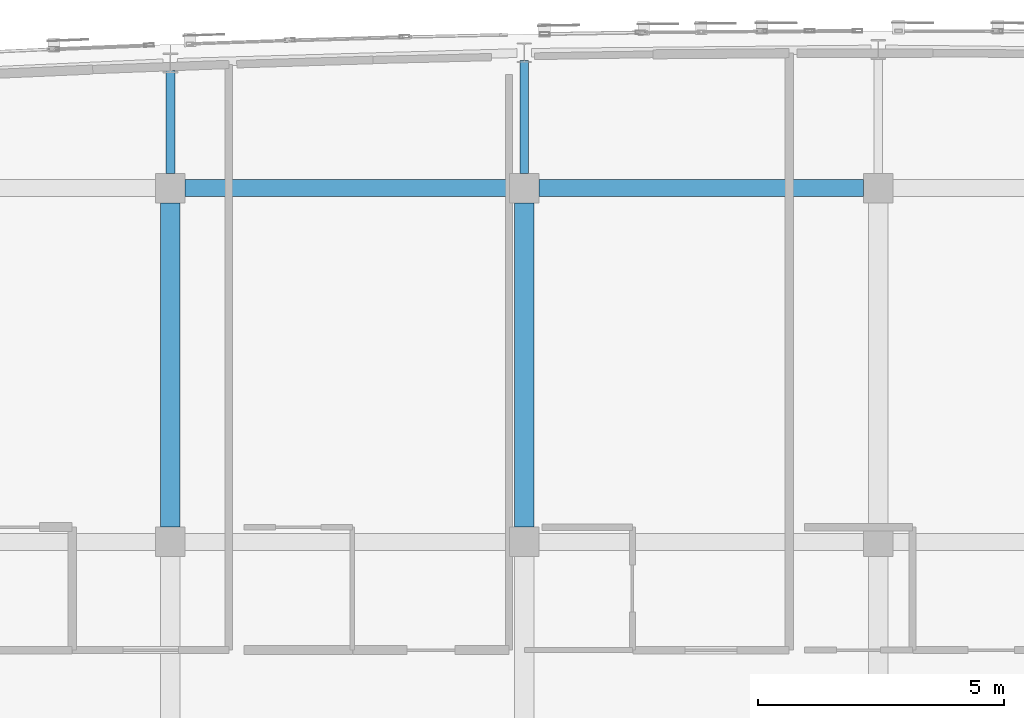
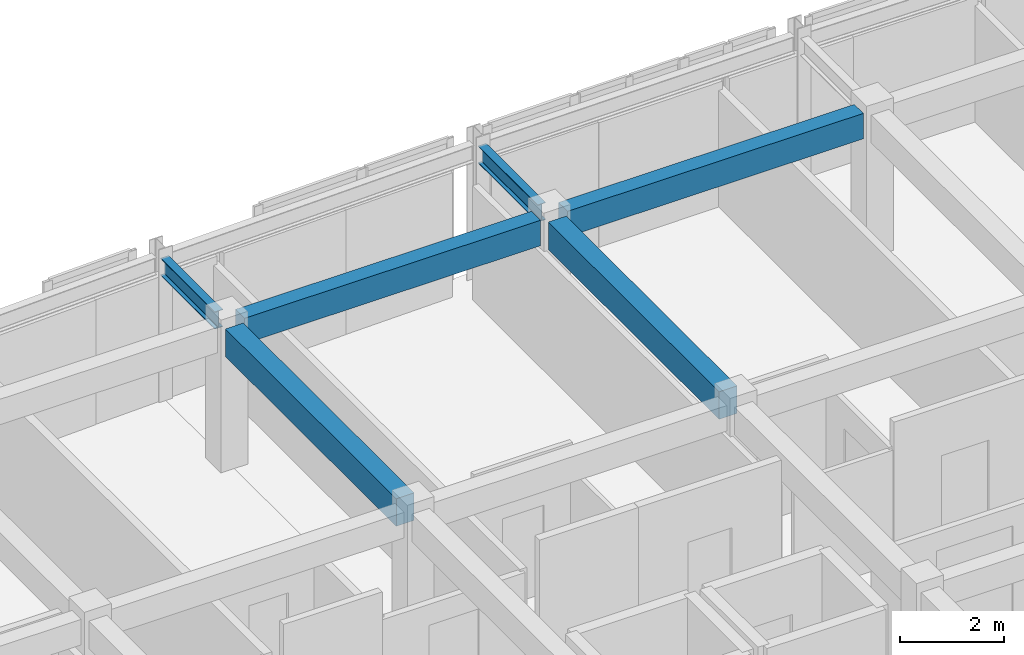
# One storey, part 14 of 51: 6 beams.
"""IFC4 building model written with IfcOpenShell, lengths in metres."""

from ifc_helpers import new_model, si_unit, direction, frame, origin, origin_2d, place, context, subcontext, project, spatial, rectangle, i_section, extrude, material, material_profile, profile_set, type_object, element, save


model = new_model("IFC4")

# Units and contexts
model_context = context("Model", 3, precision=1e-05, world=origin(), true_north=direction((0.0, 1.0)))
body_context = subcontext(model_context, "Body", "Model", "MODEL_VIEW")
ifc_project = project(units=[si_unit("LENGTHUNIT", "METRE"), si_unit("AREAUNIT", "SQUARE_METRE"), si_unit("VOLUMEUNIT", "CUBIC_METRE"), si_unit("PLANEANGLEUNIT", "RADIAN"), si_unit("MASSUNIT", "GRAM", prefix="KILO")], contexts=[model_context])

# Site, building, storey
site_placement = place(None, origin())
site = spatial("IfcSite", under=ifc_project, at=site_placement, CompositionType="ELEMENT")
building_placement = place(site_placement, origin())
building = spatial("IfcBuilding", under=site, at=building_placement, Name="Carrowvane Square Congress Hotel", CompositionType="ELEMENT")
storey_placement = place(building_placement, frame((0.0, 0.0, 30.0)))
storey = spatial("IfcBuildingStorey", under=building, at=storey_placement, Name="L07", CompositionType="ELEMENT", Elevation=30.0)

# Beams
ifc_material_1 = material(Name="Concrete C35/45", Category="concrete")
ifc_material_profile_1 = material_profile(ifc_material_1, rectangle(XDim=0.35009765625, YDim=0.60009765625, at=origin_2d()), Name="RC 350x600")
ifc_profile_set_1 = profile_set([ifc_material_profile_1], Name="Concrete C35/45")
beam_type_1 = type_object("IfcBeamType", Name="BM-RC-350x600", PredefinedType="BEAM", material=ifc_profile_set_1)
beam_1_placement = place(storey_placement, frame((83.89990234375, 113.39990234375, 3.06005859375), z_axis=(1.0, 0.0, 0.0), x_axis=(0.0, 1.0, 0.0)))
element("IfcBeam", 1, at=beam_1_placement, inside=storey, type_object=beam_type_1, Name="L08 girder R/11-12", PredefinedType="BEAM", context=body_context, shape_type="SweptSolid", body=[
    extrude(rectangle(XDim=0.35009765625, YDim=0.60009765625, at=origin_2d()), origin(), (0.0, 0.0, 1.0), 6.60009765625),
])
beam_2_placement = place(storey_placement, frame((91.10009765625, 113.39990234375, 3.06005859375), z_axis=(1.0, 0.0, 0.0), x_axis=(0.0, 1.0, 0.0)))
element("IfcBeam", 2, at=beam_2_placement, inside=storey, type_object=beam_type_1, Name="L08 girder R/12-13", PredefinedType="BEAM", context=body_context, shape_type="SweptSolid", body=[
    extrude(rectangle(XDim=0.35009765625, YDim=0.60009765625, at=origin_2d()), origin(), (0.0, 0.0, 1.0), 6.599853515625),
])
ifc_material_2 = material(Name="Concrete C35/45", Category="concrete")
ifc_material_profile_2 = material_profile(ifc_material_2, rectangle(XDim=0.39990234375, YDim=0.64990234375, at=origin_2d()), Name="RC 400x650")
ifc_profile_set_2 = profile_set([ifc_material_profile_2], Name="Concrete C35/45")
beam_type_2 = type_object("IfcBeamType", Name="BM-RC-400x650", PredefinedType="BEAM", material=ifc_profile_set_2)
for number, where, z_axis, x_axis, name in (
    (3, (83.60009765625, 106.5, 3.034912109375), (0.0, 1.0, 0.0), (-1.0, 0.0, 0.0), "L08 girder 11/Q-R"),
    (4, (90.800048828125, 106.5, 3.034912109375), (0.0, 1.0, 0.0), (-1.0, 0.0, 0.0), "L08 girder 12/Q-R"),
):
    element("IfcBeam", number, at=place(storey_placement, frame(where, z_axis=z_axis, x_axis=x_axis)), inside=storey, type_object=beam_type_2, Name=name, PredefinedType="BEAM", context=body_context, shape_type="SweptSolid", body=[
        extrude(rectangle(XDim=0.39990234375, YDim=0.64990234375, at=origin_2d()), origin(), (0.0, 0.0, 1.0), 6.60009765625),
    ])
ifc_material_3 = material(Name="Steel S355", Category="steel")
ifc_material_profile_3 = material_profile(ifc_material_3, i_section(OverallWidth=0.1787109375, OverallDepth=0.409423828125, WebThickness=0.0087890625, FlangeThickness=0.014404296875, FilletRadius=0.01025390625, at=origin_2d()), Name="UKB 406x178x67")
ifc_profile_set_3 = profile_set([ifc_material_profile_3], Name="Steel S355")
beam_type_3 = type_object("IfcBeamType", Name="BM-ST-UKB406", PredefinedType="BEAM", material=ifc_profile_set_3)
beam_3_placement = place(storey_placement, frame((83.60009765625, 113.699951171875, 3.1552734375), z_axis=(0.0, 1.0, 0.0), x_axis=(-1.0, 0.0, 0.0)))
element("IfcBeam", 5, at=beam_3_placement, inside=storey, type_object=beam_type_3, Name="L08 radial north beam 11", PredefinedType="BEAM", context=body_context, shape_type="SweptSolid", body=[
    extrude(i_section(OverallWidth=0.1787109375, OverallDepth=0.409423828125, WebThickness=0.0087890625, FlangeThickness=0.014404296875, FilletRadius=0.01025390625, at=origin_2d()), origin(), (0.0, 0.0, 1.0), 2.093994140625),
])
beam_4_placement = place(storey_placement, frame((90.800048828125, 113.699951171875, 3.1552734375), z_axis=(0.0, 1.0, 0.0), x_axis=(-1.0, 0.0, 0.0)))
element("IfcBeam", 6, at=beam_4_placement, inside=storey, type_object=beam_type_3, Name="L08 radial north beam 12", PredefinedType="BEAM", context=body_context, shape_type="SweptSolid", body=[
    extrude(i_section(OverallWidth=0.1787109375, OverallDepth=0.409423828125, WebThickness=0.0087890625, FlangeThickness=0.014404296875, FilletRadius=0.01025390625, at=origin_2d()), origin(), (0.0, 0.0, 1.0), 2.2998046875),
])

save(model, "model.ifc")
